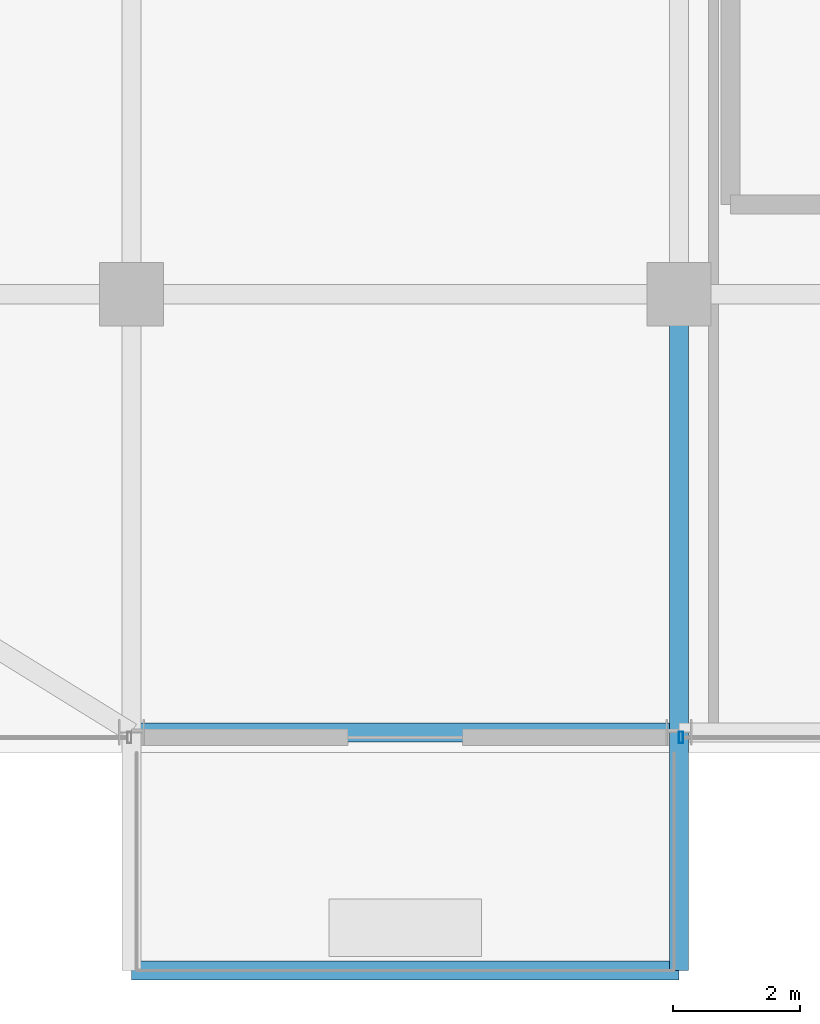
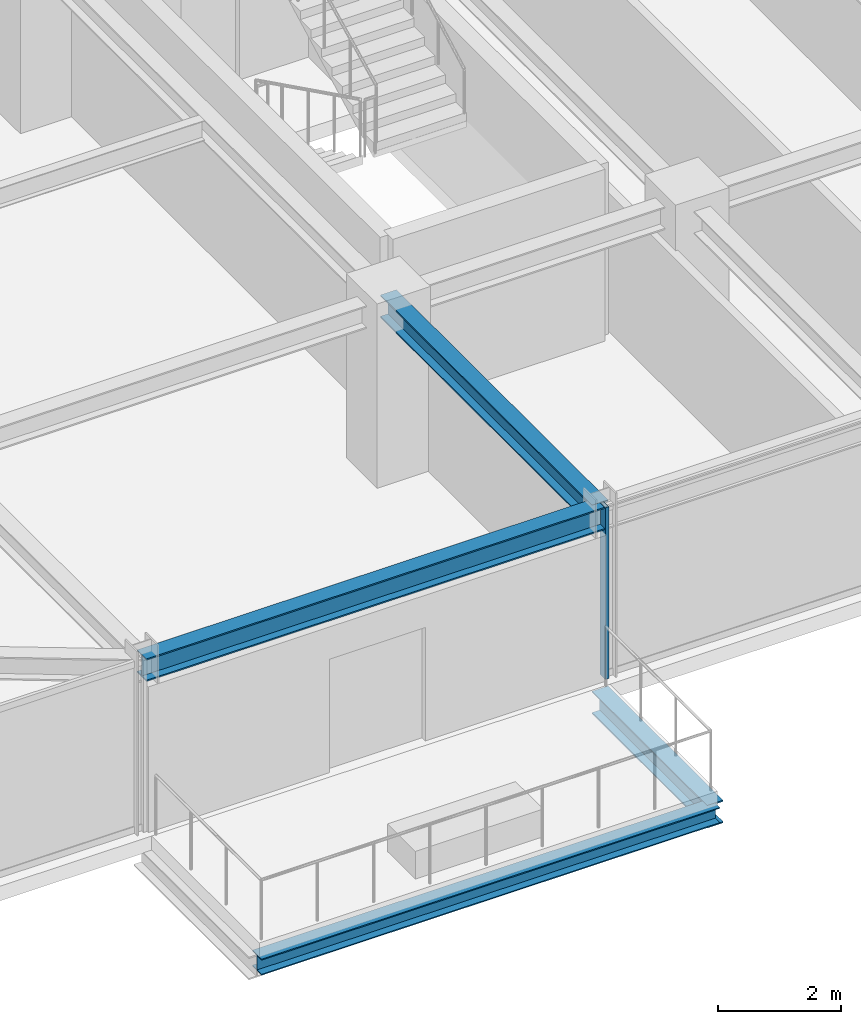
# One storey, part 4 of 36: 4 beams, 1 member, 1 element without a shape of its own.
"""IFC4 building model written with IfcOpenShell, lengths in metres."""

from ifc_helpers import new_model, si_unit, direction, frame, origin, origin_2d, place, context, subcontext, project, spatial, hollow_rectangle, i_section, extrude, source, transform, mapped, material, material_profile, profile_set, type_object, element, aggregate, save


model = new_model("IFC4")

# Units and contexts
model_context = context("Model", 3, precision=1e-05, world=origin(), true_north=direction((0.0, 1.0)))
body_context = subcontext(model_context, "Body", "Model", "MODEL_VIEW")
ifc_project = project(units=[si_unit("LENGTHUNIT", "METRE"), si_unit("AREAUNIT", "SQUARE_METRE"), si_unit("VOLUMEUNIT", "CUBIC_METRE"), si_unit("PLANEANGLEUNIT", "RADIAN"), si_unit("MASSUNIT", "GRAM", prefix="KILO")], contexts=[model_context])

# Site, building, storey
site_placement = place(None, origin())
site = spatial("IfcSite", under=ifc_project, at=site_placement, CompositionType="ELEMENT")
building_placement = place(site_placement, origin())
building = spatial("IfcBuilding", under=site, at=building_placement, Name="Nahalor Promenade Grand Hotel", CompositionType="ELEMENT")
storey_placement = place(building_placement, frame((0.0, 0.0, 223.39990234375)))
storey = spatial("IfcBuildingStorey", under=building, at=storey_placement, Name="L57", CompositionType="ELEMENT", Elevation=223.39990234375)

# Beams
ifc_material_1 = material(Name="Steel S355JR", Category="steel")
ifc_material_profile_1 = material_profile(ifc_material_1, i_section(OverallWidth=0.3, OverallDepth=0.32, WebThickness=0.0115, FlangeThickness=0.0205, at=origin_2d()), Name="HEB 320")
ifc_profile_set_1 = profile_set([ifc_material_profile_1], Name="Steel S355JR")
beam_type_1 = type_object("IfcBeamType", Name="Beam-BalcEdge-HEB320", PredefinedType="SPANDREL", material=ifc_profile_set_1)
shared_shape_1 = source(origin(), body_context, "Body", "SweptSolid", [
    extrude(i_section(OverallWidth=0.3, OverallDepth=0.32, WebThickness=0.0115, FlangeThickness=0.0205, at=origin_2d()), origin(), (0.0, 0.0, 1.0), 8.60009765625),
])
beam_1_placement = place(storey_placement, frame((-17.0, -27.6201171875, -0.43994140625), z_axis=(1.0, 0.0, 0.0), x_axis=(0.0, 1.0, 0.0)))
element("IfcBeam", 1, at=beam_1_placement, inside=storey, type_object=beam_type_1, Name="BM-L57-BC-01-F", PredefinedType="SPANDREL", context=body_context, shape_type="MappedRepresentation", body=[
    mapped(shared_shape_1, transform((0.0, 0.0, 0.0), scale=1.0)),
])
ifc_material_profile_2 = material_profile(ifc_material_1, i_section(OverallWidth=0.3, OverallDepth=0.45, WebThickness=0.014, FlangeThickness=0.026, at=origin_2d()), Name="HEB 450")
ifc_profile_set_2 = profile_set([ifc_material_profile_2], Name="Steel S355JR")
beam_type_2 = type_object("IfcBeamType", Name="Beam-Outrigger-HEB450", PredefinedType="BEAM", material=ifc_profile_set_2)
shared_shape_2 = source(origin(), body_context, "Body", "SweptSolid", [
    extrude(i_section(OverallWidth=0.3, OverallDepth=0.45, WebThickness=0.014, FlangeThickness=0.026, at=origin_2d()), origin(), (0.0, 0.0, 1.0), 3.740234375),
])
beam_2_placement = place(storey_placement, frame((-8.39990234375, -27.6201171875, -0.5048828125), z_axis=(0.0, 1.0, 0.0), x_axis=(-1.0, 0.0, 0.0)))
element("IfcBeam", 2, at=beam_2_placement, inside=storey, type_object=beam_type_2, Name="BM-L57-BC-01-2", PredefinedType="BEAM", context=body_context, shape_type="MappedRepresentation", body=[
    mapped(shared_shape_2, transform((0.0, 0.0, 0.0), scale=1.0)),
])
ifc_material_profile_3 = material_profile(ifc_material_1, i_section(OverallWidth=0.3, OverallDepth=0.45, WebThickness=0.014, FlangeThickness=0.026, at=origin_2d()), Name="HEB 450")
ifc_profile_set_3 = profile_set([ifc_material_profile_3], Name="Steel S355JR")
beam_type_3 = type_object("IfcBeamType", Name="Beam-Spandrel-HEB450", PredefinedType="SPANDREL", material=ifc_profile_set_3)
shared_shape_3 = source(origin(), body_context, "Body", "SweptSolid", [
    extrude(i_section(OverallWidth=0.3, OverallDepth=0.45, WebThickness=0.014, FlangeThickness=0.026, at=origin_2d()), origin(), (0.0, 0.0, 1.0), 8.60009765625),
])
beam_3_placement = place(storey_placement, frame((-17.0, -23.8798828125, 3.18505859375), z_axis=(1.0, 0.0, 0.0), x_axis=(0.0, 1.0, 0.0)))
element("IfcBeam", 3, at=beam_3_placement, inside=storey, type_object=beam_type_3, Name="BM-L57-SP-S-0", PredefinedType="SPANDREL", context=body_context, shape_type="MappedRepresentation", body=[
    mapped(shared_shape_3, transform((0.0, 0.0, 0.0), scale=1.0)),
])
ifc_material_profile_4 = material_profile(ifc_material_1, i_section(OverallWidth=0.3, OverallDepth=0.45, WebThickness=0.014, FlangeThickness=0.026, at=origin_2d()), Name="HEB 450")
ifc_profile_set_4 = profile_set([ifc_material_profile_4], Name="Steel S355JR")
beam_type_4 = type_object("IfcBeamType", Name="Beam-Girder-HEB450", PredefinedType="BEAM", material=ifc_profile_set_4)
shared_shape_4 = source(origin(), body_context, "Body", "SweptSolid", [
    extrude(i_section(OverallWidth=0.3, OverallDepth=0.45, WebThickness=0.014, FlangeThickness=0.026, at=origin_2d()), origin(), (0.0, 0.0, 1.0), 6.8798828125),
])
beam_4_placement = place(storey_placement, frame((-8.39990234375, -23.8798828125, 3.18505859375), z_axis=(0.0, 1.0, 0.0), x_axis=(-1.0, 0.0, 0.0)))
element("IfcBeam", 4, at=beam_4_placement, inside=storey, type_object=beam_type_4, Name="BM-L57-GY-1-0", PredefinedType="BEAM", context=body_context, shape_type="MappedRepresentation", body=[
    mapped(shared_shape_4, transform((0.0, 0.0, 0.0), scale=1.0)),
])

# Curtain wall, member
ifc_material_2 = material(Name="Anodised Bronze Aluminium EN AW-6063 T6", Category="aluminium")
curtain_wall_type = type_object("IfcCurtainWallType", Name="CW2 Typical Hotel Flush Bronze Unitised Curtain Wall", PredefinedType="USERDEFINED", material=ifc_material_2)
curtain_wall_placement = place(storey_placement, origin())
curtain_wall = element("IfcCurtainWall", 5, at=curtain_wall_placement, inside=storey, type_object=curtain_wall_type, Name="L57 Curtain Wall CW-L57-S-3", ObjectType="UNITISED_CURTAIN_WALL", PredefinedType="USERDEFINED")
ifc_material_profile_5 = material_profile(ifc_material_2, hollow_rectangle(XDim=0.065, YDim=0.18, WallThickness=0.004, at=origin_2d()), Name="CWM 65x180x4")
ifc_profile_set_5 = profile_set([ifc_material_profile_5], Name="Anodised Bronze Aluminium EN AW-6063 T6")
member_type = type_object("IfcMemberType", Name="CWM2 Typical Bronze Mullion 65x180", PredefinedType="MULLION", material=ifc_profile_set_5)
shared_shape_5 = source(origin(), body_context, "Body", "SweptSolid", [
    extrude(hollow_rectangle(XDim=0.065, YDim=0.18, WallThickness=0.004, at=origin_2d()), origin(), (0.0, 0.0, 1.0), 3.41015625),
])
member_placement = place(storey_placement, frame((-8.367431640625, -23.9599609375, 0.0), z_axis=(0.0, 0.0, 1.0), x_axis=(1.0, 0.0, 0.0)))
member = element("IfcMember", 6, at=member_placement, type_object=member_type, Name="CW-L57-S-3 Mullion 0", PredefinedType="MULLION", context=body_context, shape_type="MappedRepresentation", body=[
    mapped(shared_shape_5, transform((0.0, 0.0, 0.0), scale=1.0)),
])
aggregate(curtain_wall, [member])

save(model, "model.ifc")
